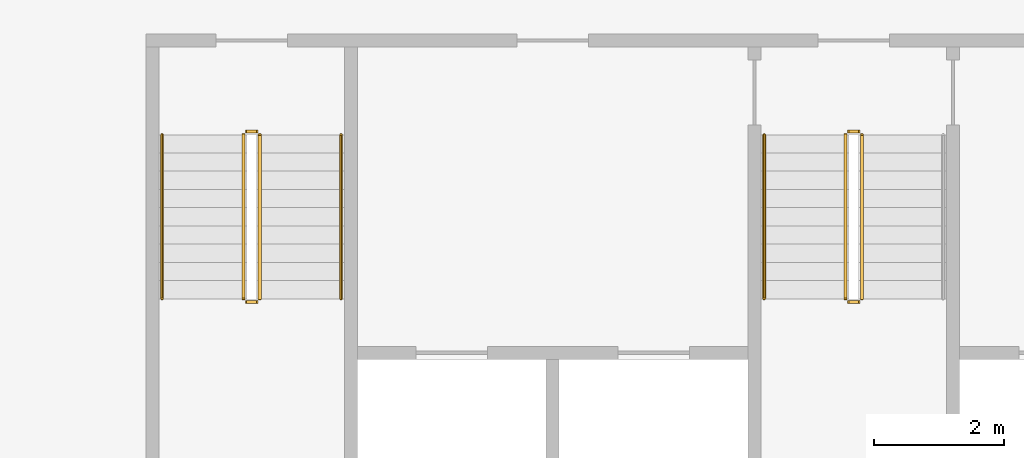
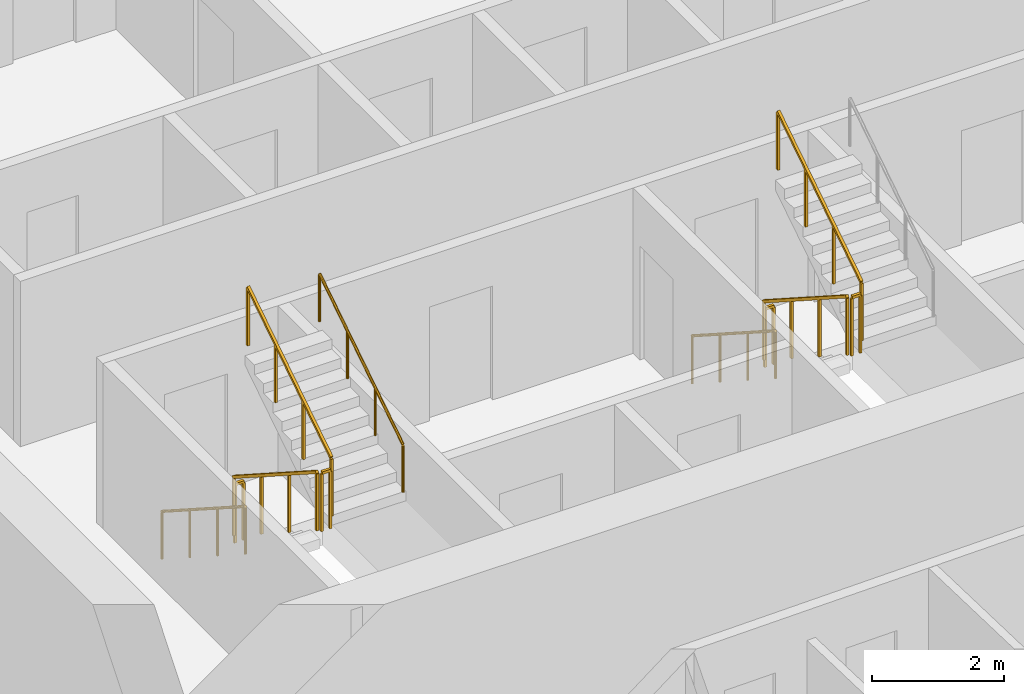
# One storey, part 15 of 17: 11 railings.
"""IFC4 building model written with IfcOpenShell, lengths in metres."""

from ifc_helpers import new_model, si_unit, direction, frame, origin, origin_2d, place, context, subcontext, project, spatial, rectangle, circle, extrude, material, type_object, element, save


model = new_model("IFC4")

# Units and contexts
model_context = context("Model", 3, precision=1e-05, world=origin(), true_north=direction((0.0, 1.0)))
body_context = subcontext(model_context, "Body", "Model", "MODEL_VIEW")
ifc_project = project(units=[si_unit("LENGTHUNIT", "METRE"), si_unit("AREAUNIT", "SQUARE_METRE"), si_unit("VOLUMEUNIT", "CUBIC_METRE"), si_unit("PLANEANGLEUNIT", "RADIAN"), si_unit("MASSUNIT", "GRAM", prefix="KILO")], contexts=[model_context])

# Site, building, storey
site_placement = place(None, origin())
site = spatial("IfcSite", under=ifc_project, at=site_placement, CompositionType="ELEMENT")
building_placement = place(site_placement, origin())
building = spatial("IfcBuilding", under=site, at=building_placement, Name="Mangrove Gate Tower", CompositionType="ELEMENT")
storey_placement = place(building_placement, frame((0.0, 0.0, 238.300048828125)))
storey = spatial("IfcBuildingStorey", under=building, at=storey_placement, Name="L60", CompositionType="ELEMENT", Elevation=238.300048828125)

# Railings
ifc_material_1 = material(Name="Stainless steel 316", Category="steel")
railing_type_1 = type_object("IfcRailingType", Name="Core stair guard 1100", PredefinedType="GUARDRAIL", material=ifc_material_1)
railing_1_placement = place(storey_placement, frame((-9.39990234375, -4.64990234375, 0.179931640625)))
element("IfcRailing", 1, at=railing_1_placement, inside=storey, type_object=railing_type_1, Name="L60 ST1 stair guard 1", PredefinedType="GUARDRAIL", context=body_context, shape_type="SweptSolid", body=[
    extrude(rectangle(XDim=0.048095703125, YDim=0.048095703125, at=origin_2d()), frame((0.0, 0.0, 1.076171875), z_axis=(0.0, -0.841162588446, 0.540782303519), x_axis=(1.0, 0.0, 0.0)), (0.0, 0.0, 1.0), 2.995849609375),
    extrude(rectangle(XDim=0.0419921875, YDim=0.0419921875, at=origin_2d()), origin(), (0.0, 0.0, 1.0), 1.052001953125),
    extrude(rectangle(XDim=0.0419921875, YDim=0.0419921875, at=origin_2d()), frame((0.0, -0.840087890625, 0.5400390625)), (0.0, 0.0, 1.0), 1.052001953125),
    extrude(rectangle(XDim=0.0419921875, YDim=0.0419921875, at=origin_2d()), frame((0.0, -1.679931640625, 1.080078125)), (0.0, 0.0, 1.0), 1.052001953125),
    extrude(rectangle(XDim=0.0419921875, YDim=0.0419921875, at=origin_2d()), frame((0.0, -2.52001953125, 1.6201171875)), (0.0, 0.0, 1.0), 1.052001953125),
])
railing_2_placement = place(storey_placement, frame((-9.35009765625, -7.219970703125, 1.800048828125)))
element("IfcRailing", 2, at=railing_2_placement, inside=storey, type_object=railing_type_1, Name="L60 ST1 stair guard 2", PredefinedType="GUARDRAIL", context=body_context, shape_type="SweptSolid", body=[
    extrude(rectangle(XDim=0.048095703125, YDim=0.048095703125, at=origin_2d()), frame((0.0, 0.0, 1.076171875), z_axis=(1.0, 0.0, 0.0), x_axis=(0.0, 1.0, 0.0)), (0.0, 0.0, 1.0), 0.150146484375),
    extrude(rectangle(XDim=0.0419921875, YDim=0.0419921875, at=origin_2d()), origin(), (0.0, 0.0, 1.0), 1.052001953125),
    extrude(rectangle(XDim=0.0419921875, YDim=0.0419921875, at=origin_2d()), frame((0.150146484375, 0.0, 0.0)), (0.0, 0.0, 1.0), 1.052001953125),
])
railing_3_placement = place(storey_placement, frame((-9.14990234375, -7.169921875, 1.97998046875)))
element("IfcRailing", 3, at=railing_3_placement, inside=storey, type_object=railing_type_1, Name="L60 ST1 stair guard 3", PredefinedType="GUARDRAIL", context=body_context, shape_type="SweptSolid", body=[
    extrude(rectangle(XDim=0.048095703125, YDim=0.048095703125, at=origin_2d()), frame((0.0, 0.0, 1.076171875), z_axis=(0.0, 0.841199657755, 0.540724639528), x_axis=(-1.0, 0.0, 0.0)), (0.0, 0.0, 1.0), 2.995849609375),
    extrude(rectangle(XDim=0.0419921875, YDim=0.0419921875, at=origin_2d()), origin(), (0.0, 0.0, 1.0), 1.052001953125),
    extrude(rectangle(XDim=0.0419921875, YDim=0.0419921875, at=origin_2d()), frame((0.0, 0.840087890625, 0.5400390625)), (0.0, 0.0, 1.0), 1.052001953125),
    extrude(rectangle(XDim=0.0419921875, YDim=0.0419921875, at=origin_2d()), frame((0.0, 1.679931640625, 1.079833984375)), (0.0, 0.0, 1.0), 1.052001953125),
    extrude(rectangle(XDim=0.0419921875, YDim=0.0419921875, at=origin_2d()), frame((0.0, 2.52001953125, 1.619873046875)), (0.0, 0.0, 1.0), 1.052001953125),
])
railing_4_placement = place(storey_placement, frame((-9.35009765625, -4.60009765625, 0.0)))
element("IfcRailing", 4, at=railing_4_placement, inside=storey, type_object=railing_type_1, Name="L60 ST1 stair guard 4", PredefinedType="GUARDRAIL", context=body_context, shape_type="SweptSolid", body=[
    extrude(rectangle(XDim=0.048095703125, YDim=0.048095703125, at=origin_2d()), frame((0.0, 0.0, 1.076171875), z_axis=(1.0, 0.0, 0.0), x_axis=(0.0, 1.0, 0.0)), (0.0, 0.0, 1.0), 0.150146484375),
    extrude(rectangle(XDim=0.0419921875, YDim=0.0419921875, at=origin_2d()), origin(), (0.0, 0.0, 1.0), 1.052001953125),
    extrude(rectangle(XDim=0.0419921875, YDim=0.0419921875, at=origin_2d()), frame((0.150146484375, 0.0, 0.0)), (0.0, 0.0, 1.0), 1.052001953125),
])
railing_5_placement = place(storey_placement, frame((-0.14990234375, -4.64990234375, 0.179931640625)))
element("IfcRailing", 5, at=railing_5_placement, inside=storey, type_object=railing_type_1, Name="L60 ST2 stair guard 1", PredefinedType="GUARDRAIL", context=body_context, shape_type="SweptSolid", body=[
    extrude(rectangle(XDim=0.048095703125, YDim=0.048095703125, at=origin_2d()), frame((0.0, 0.0, 1.076171875), z_axis=(0.0, -0.841162588446, 0.540782303519), x_axis=(1.0, 0.0, 0.0)), (0.0, 0.0, 1.0), 2.995849609375),
    extrude(rectangle(XDim=0.0419921875, YDim=0.0419921875, at=origin_2d()), origin(), (0.0, 0.0, 1.0), 1.052001953125),
    extrude(rectangle(XDim=0.0419921875, YDim=0.0419921875, at=origin_2d()), frame((0.0, -0.840087890625, 0.5400390625)), (0.0, 0.0, 1.0), 1.052001953125),
    extrude(rectangle(XDim=0.0419921875, YDim=0.0419921875, at=origin_2d()), frame((0.0, -1.679931640625, 1.080078125)), (0.0, 0.0, 1.0), 1.052001953125),
    extrude(rectangle(XDim=0.0419921875, YDim=0.0419921875, at=origin_2d()), frame((0.0, -2.52001953125, 1.6201171875)), (0.0, 0.0, 1.0), 1.052001953125),
])
railing_6_placement = place(storey_placement, frame((-0.10009765625, -7.219970703125, 1.800048828125)))
element("IfcRailing", 6, at=railing_6_placement, inside=storey, type_object=railing_type_1, Name="L60 ST2 stair guard 2", PredefinedType="GUARDRAIL", context=body_context, shape_type="SweptSolid", body=[
    extrude(rectangle(XDim=0.048095703125, YDim=0.048095703125, at=origin_2d()), frame((0.0, 0.0, 1.076171875), z_axis=(1.0, 0.0, 0.0), x_axis=(0.0, 1.0, 0.0)), (0.0, 0.0, 1.0), 0.150146484375),
    extrude(rectangle(XDim=0.0419921875, YDim=0.0419921875, at=origin_2d()), origin(), (0.0, 0.0, 1.0), 1.052001953125),
    extrude(rectangle(XDim=0.0419921875, YDim=0.0419921875, at=origin_2d()), frame((0.150146484375, 0.0, 0.0)), (0.0, 0.0, 1.0), 1.052001953125),
])
railing_7_placement = place(storey_placement, frame((0.10009765625, -7.169921875, 1.97998046875)))
element("IfcRailing", 7, at=railing_7_placement, inside=storey, type_object=railing_type_1, Name="L60 ST2 stair guard 3", PredefinedType="GUARDRAIL", context=body_context, shape_type="SweptSolid", body=[
    extrude(rectangle(XDim=0.048095703125, YDim=0.048095703125, at=origin_2d()), frame((0.0, 0.0, 1.076171875), z_axis=(0.0, 0.841199657755, 0.540724639528), x_axis=(-1.0, 0.0, 0.0)), (0.0, 0.0, 1.0), 2.995849609375),
    extrude(rectangle(XDim=0.0419921875, YDim=0.0419921875, at=origin_2d()), origin(), (0.0, 0.0, 1.0), 1.052001953125),
    extrude(rectangle(XDim=0.0419921875, YDim=0.0419921875, at=origin_2d()), frame((0.0, 0.840087890625, 0.5400390625)), (0.0, 0.0, 1.0), 1.052001953125),
    extrude(rectangle(XDim=0.0419921875, YDim=0.0419921875, at=origin_2d()), frame((0.0, 1.679931640625, 1.079833984375)), (0.0, 0.0, 1.0), 1.052001953125),
    extrude(rectangle(XDim=0.0419921875, YDim=0.0419921875, at=origin_2d()), frame((0.0, 2.52001953125, 1.619873046875)), (0.0, 0.0, 1.0), 1.052001953125),
])
railing_8_placement = place(storey_placement, frame((-0.10009765625, -4.60009765625, 0.0)))
element("IfcRailing", 8, at=railing_8_placement, inside=storey, type_object=railing_type_1, Name="L60 ST2 stair guard 4", PredefinedType="GUARDRAIL", context=body_context, shape_type="SweptSolid", body=[
    extrude(rectangle(XDim=0.048095703125, YDim=0.048095703125, at=origin_2d()), frame((0.0, 0.0, 1.076171875), z_axis=(1.0, 0.0, 0.0), x_axis=(0.0, 1.0, 0.0)), (0.0, 0.0, 1.0), 0.150146484375),
    extrude(rectangle(XDim=0.0419921875, YDim=0.0419921875, at=origin_2d()), origin(), (0.0, 0.0, 1.0), 1.052001953125),
    extrude(rectangle(XDim=0.0419921875, YDim=0.0419921875, at=origin_2d()), frame((0.150146484375, 0.0, 0.0)), (0.0, 0.0, 1.0), 1.052001953125),
])
ifc_material_2 = material(Name="Stainless steel 316", Category="steel")
railing_type_2 = type_object("IfcRailingType", Name="Core stair handrail 900", PredefinedType="HANDRAIL", material=ifc_material_2)
railing_9_placement = place(storey_placement, frame((-10.64990234375, -4.64990234375, 0.179931640625)))
element("IfcRailing", 9, at=railing_9_placement, inside=storey, type_object=railing_type_2, Name="L60 ST1 stair handrail 1", PredefinedType="HANDRAIL", context=body_context, shape_type="SweptSolid", body=[
    extrude(circle(Radius=0.02392578125, at=origin_2d()), frame((0.0, 0.0, 0.8759765625), z_axis=(0.0, -0.841162588446, 0.540782303519), x_axis=(1.0, 0.0, 0.0)), (0.0, 0.0, 1.0), 2.995849609375),
    extrude(circle(Radius=0.02099609375, at=origin_2d()), origin(), (0.0, 0.0, 1.0), 0.851806640625),
    extrude(circle(Radius=0.02099609375, at=origin_2d()), frame((0.0, -0.840087890625, 0.5400390625)), (0.0, 0.0, 1.0), 0.851806640625),
    extrude(circle(Radius=0.02099609375, at=origin_2d()), frame((0.0, -1.679931640625, 1.080078125)), (0.0, 0.0, 1.0), 0.851806640625),
    extrude(circle(Radius=0.02099609375, at=origin_2d()), frame((0.0, -2.52001953125, 1.6201171875)), (0.0, 0.0, 1.0), 0.851806640625),
])
railing_10_placement = place(storey_placement, frame((-7.89990234375, -7.169921875, 1.97998046875)))
element("IfcRailing", 10, at=railing_10_placement, inside=storey, type_object=railing_type_2, Name="L60 ST1 stair handrail 2", PredefinedType="HANDRAIL", context=body_context, shape_type="SweptSolid", body=[
    extrude(circle(Radius=0.02392578125, at=origin_2d()), frame((0.0, 0.0, 0.8759765625), z_axis=(0.0, 0.841199657755, 0.540724639528), x_axis=(-1.0, 0.0, 0.0)), (0.0, 0.0, 1.0), 2.995849609375),
    extrude(circle(Radius=0.02099609375, at=origin_2d()), origin(), (0.0, 0.0, 1.0), 0.851806640625),
    extrude(circle(Radius=0.02099609375, at=origin_2d()), frame((0.0, 0.840087890625, 0.5400390625)), (0.0, 0.0, 1.0), 0.851806640625),
    extrude(circle(Radius=0.02099609375, at=origin_2d()), frame((0.0, 1.679931640625, 1.079833984375)), (0.0, 0.0, 1.0), 0.851806640625),
    extrude(circle(Radius=0.02099609375, at=origin_2d()), frame((0.0, 2.52001953125, 1.619873046875)), (0.0, 0.0, 1.0), 0.851806640625),
])
railing_11_placement = place(storey_placement, frame((-1.39990234375, -4.64990234375, 0.179931640625)))
element("IfcRailing", 11, at=railing_11_placement, inside=storey, type_object=railing_type_2, Name="L60 ST2 stair handrail 1", PredefinedType="HANDRAIL", context=body_context, shape_type="SweptSolid", body=[
    extrude(circle(Radius=0.02392578125, at=origin_2d()), frame((0.0, 0.0, 0.8759765625), z_axis=(0.0, -0.841162588446, 0.540782303519), x_axis=(1.0, 0.0, 0.0)), (0.0, 0.0, 1.0), 2.995849609375),
    extrude(circle(Radius=0.02099609375, at=origin_2d()), origin(), (0.0, 0.0, 1.0), 0.851806640625),
    extrude(circle(Radius=0.02099609375, at=origin_2d()), frame((0.0, -0.840087890625, 0.5400390625)), (0.0, 0.0, 1.0), 0.851806640625),
    extrude(circle(Radius=0.02099609375, at=origin_2d()), frame((0.0, -1.679931640625, 1.080078125)), (0.0, 0.0, 1.0), 0.851806640625),
    extrude(circle(Radius=0.02099609375, at=origin_2d()), frame((0.0, -2.52001953125, 1.6201171875)), (0.0, 0.0, 1.0), 0.851806640625),
])

save(model, "model.ifc")
